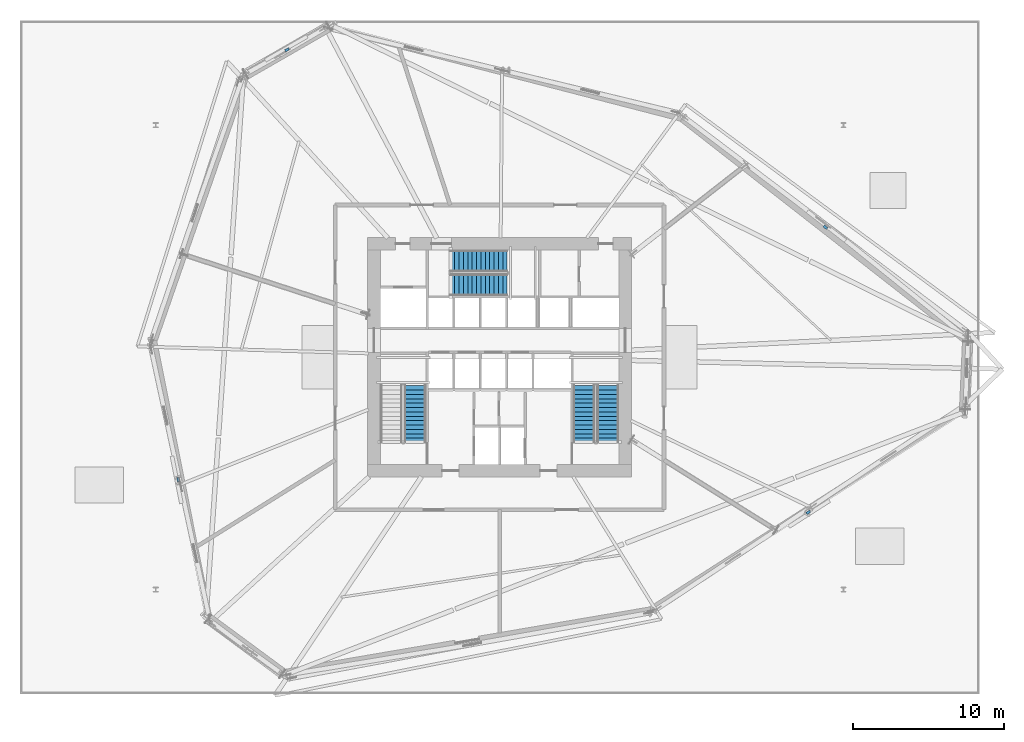
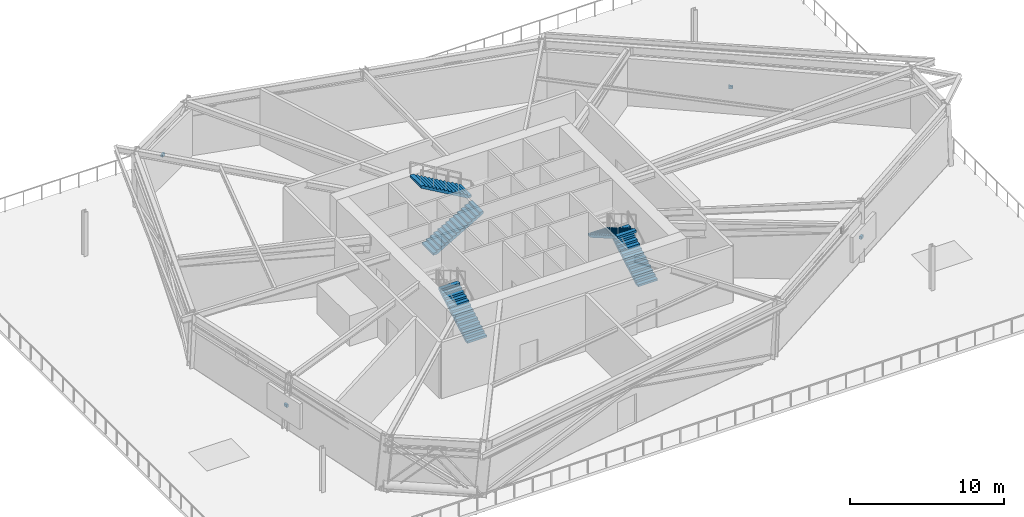
# One storey, part 15 of 20: 5 stair flights, 4 discrete accessories, 3 elements without a shape of their own.
"""IFC4 building model written with IfcOpenShell, lengths in metres."""

from ifc_helpers import new_model, si_unit, direction, frame, origin, origin_2d, place, context, subcontext, project, spatial, polyline, rectangle, outline, extrude, source, transform, mapped, material, type_object, element, aggregate, save


model = new_model("IFC4")

# Units and contexts
model_context = context("Model", 3, precision=1e-05, world=origin(), true_north=direction((0.0, 1.0)))
body_context = subcontext(model_context, "Body", "Model", "MODEL_VIEW")
ifc_project = project(units=[si_unit("LENGTHUNIT", "METRE"), si_unit("AREAUNIT", "SQUARE_METRE"), si_unit("VOLUMEUNIT", "CUBIC_METRE"), si_unit("PLANEANGLEUNIT", "RADIAN"), si_unit("MASSUNIT", "GRAM", prefix="KILO")], contexts=[model_context])

# Site, building, storey
site_placement = place(None, origin())
site = spatial("IfcSite", under=ifc_project, at=site_placement, CompositionType="ELEMENT")
building_placement = place(site_placement, origin())
building = spatial("IfcBuilding", under=site, at=building_placement, Name="Olszyna Solenne Hotel", CompositionType="ELEMENT")
storey_placement = place(building_placement, frame((0.0, 0.0, 24.60009765625)))
storey = spatial("IfcBuildingStorey", under=building, at=storey_placement, Name="L05", CompositionType="ELEMENT", Elevation=24.60009765625)

# Stair, stair flight
ifc_material_1 = material(Name="Concrete C40/50", Category="concrete")
stair_type = type_object("IfcStairType", Name="STR-C1", PredefinedType="TWO_QUARTER_WINDING_STAIR", material=ifc_material_1)
stair_1_placement = place(storey_placement, origin())
stair_1 = element("IfcStair", 1, at=stair_1_placement, inside=storey, type_object=stair_type, Name="L05 ST1", PredefinedType="TWO_QUARTER_WINDING_STAIR")
stair_flight_type = type_object("IfcStairFlightType", Name="FLT-C1", PredefinedType="STRAIGHT", material=ifc_material_1)
stair_flight_1_placement = place(storey_placement, frame((32.39501953125, 20.949951171875, 0.0), z_axis=(0.0, 0.0, 1.0), x_axis=(0.0, 1.0, 0.0)))
stair_flight_1 = element("IfcStairFlight", 2, at=stair_flight_1_placement, type_object=stair_flight_type, Name="ST1 flight 1", NumberOfRisers=14, NumberOfTreads=13, PredefinedType="STRAIGHT", RiserHeight=0.167857143, TreadLength=0.29, context=body_context, shape_type="SweptSolid", body=[
    extrude(outline(polyline([(0.0, 0.0), (0.0, 0.16796875), (0.2900390625, 0.16796875), (0.2900390625, 0.335693359375), (0.580078125, 0.335693359375), (0.580078125, 0.503662109375), (0.8701171875, 0.503662109375), (0.8701171875, 0.67138671875), (1.159912109375, 0.67138671875), (1.159912109375, 0.83935546875), (1.449951171875, 0.83935546875), (1.449951171875, 1.007080078125), (1.739990234375, 1.007080078125), (1.739990234375, 1.175048828125), (2.030029296875, 1.175048828125), (2.030029296875, 1.3427734375), (2.320068359375, 1.3427734375), (2.320068359375, 1.5107421875), (2.610107421875, 1.5107421875), (2.610107421875, 1.678466796875), (2.89990234375, 1.678466796875), (2.89990234375, 1.846435546875), (3.18994140625, 1.846435546875), (3.18994140625, 2.014404296875), (3.47998046875, 2.014404296875), (3.47998046875, 2.18212890625), (3.77001953125, 2.18212890625), (3.77001953125, 2.35009765625), (3.77001953125, 2.009033203125), (0.29931640625, 0.0), (0.0, 0.0)])), frame((0.0, 0.72509765625, 0.0), z_axis=(0.0, -1.0, 0.0), x_axis=(1.0, 0.0, 0.0)), (0.0, 0.0, 1.0), 1.449951171875),
])
aggregate(stair_1, [stair_flight_1])

# Stair, stair flights
stair_2_placement = place(storey_placement, origin())
stair_2 = element("IfcStair", 3, at=stair_2_placement, inside=storey, type_object=stair_type, Name="L05 ST2", PredefinedType="TWO_QUARTER_WINDING_STAIR")
stair_flight_2_placement = place(storey_placement, frame((45.175048828125, 20.949951171875, 0.0), z_axis=(0.0, 0.0, 1.0), x_axis=(0.0, 1.0, 0.0)))
stair_flight_2 = element("IfcStairFlight", 4, at=stair_flight_2_placement, type_object=stair_flight_type, Name="ST2 flight 1", NumberOfRisers=14, NumberOfTreads=13, PredefinedType="STRAIGHT", RiserHeight=0.167857143, TreadLength=0.29, context=body_context, shape_type="SweptSolid", body=[
    extrude(outline(polyline([(0.0, 0.0), (0.0, 0.16796875), (0.2900390625, 0.16796875), (0.2900390625, 0.335693359375), (0.580078125, 0.335693359375), (0.580078125, 0.503662109375), (0.8701171875, 0.503662109375), (0.8701171875, 0.67138671875), (1.159912109375, 0.67138671875), (1.159912109375, 0.83935546875), (1.449951171875, 0.83935546875), (1.449951171875, 1.007080078125), (1.739990234375, 1.007080078125), (1.739990234375, 1.175048828125), (2.030029296875, 1.175048828125), (2.030029296875, 1.3427734375), (2.320068359375, 1.3427734375), (2.320068359375, 1.5107421875), (2.610107421875, 1.5107421875), (2.610107421875, 1.678466796875), (2.89990234375, 1.678466796875), (2.89990234375, 1.846435546875), (3.18994140625, 1.846435546875), (3.18994140625, 2.014404296875), (3.47998046875, 2.014404296875), (3.47998046875, 2.18212890625), (3.77001953125, 2.18212890625), (3.77001953125, 2.35009765625), (3.77001953125, 2.009033203125), (0.29931640625, 0.0), (0.0, 0.0)])), frame((0.0, 0.72509765625, 0.0), z_axis=(0.0, -1.0, 0.0), x_axis=(1.0, 0.0, 0.0)), (0.0, 0.0, 1.0), 1.449951171875),
])
stair_flight_3_placement = place(storey_placement, frame((43.60498046875, 24.719970703125, 2.349853515625), z_axis=(0.0, 0.0, 1.0), x_axis=(0.0, -1.0, 0.0)))
stair_flight_3 = element("IfcStairFlight", 5, at=stair_flight_3_placement, type_object=stair_flight_type, Name="ST2 flight 2", NumberOfRisers=14, NumberOfTreads=13, PredefinedType="STRAIGHT", RiserHeight=0.167857143, TreadLength=0.29, context=body_context, shape_type="SweptSolid", body=[
    extrude(outline(polyline([(0.0, 0.0), (0.0, 0.16796875), (0.2900390625, 0.16796875), (0.2900390625, 0.335693359375), (0.580078125, 0.335693359375), (0.580078125, 0.503662109375), (0.8701171875, 0.503662109375), (0.8701171875, 0.67138671875), (1.159912109375, 0.67138671875), (1.159912109375, 0.83935546875), (1.449951171875, 0.83935546875), (1.449951171875, 1.007080078125), (1.739990234375, 1.007080078125), (1.739990234375, 1.175048828125), (2.030029296875, 1.175048828125), (2.030029296875, 1.3427734375), (2.320068359375, 1.3427734375), (2.320068359375, 1.5107421875), (2.610107421875, 1.5107421875), (2.610107421875, 1.678466796875), (2.89990234375, 1.678466796875), (2.89990234375, 1.846435546875), (3.18994140625, 1.846435546875), (3.18994140625, 2.014404296875), (3.47998046875, 2.014404296875), (3.47998046875, 2.18212890625), (3.77001953125, 2.18212890625), (3.77001953125, 2.35009765625), (3.77001953125, 2.009033203125), (0.29931640625, 0.0), (0.0, 0.0)])), frame((0.0, 0.72509765625, 0.0), z_axis=(0.0, -1.0, 0.0), x_axis=(1.0, 0.0, 0.0)), (0.0, 0.0, 1.0), 1.449951171875),
])
aggregate(stair_2, [stair_flight_2, stair_flight_3])

stair_3_placement = place(storey_placement, origin())
stair_3 = element("IfcStair", 6, at=stair_3_placement, inside=storey, type_object=stair_type, Name="L05 ST3", PredefinedType="TWO_QUARTER_WINDING_STAIR")
stair_flight_4_placement = place(storey_placement, frame((34.72998046875, 31.405029296875, 0.0), z_axis=(0.0, 0.0, 1.0), x_axis=(1.0, 0.0, 0.0)))
stair_flight_4 = element("IfcStairFlight", 7, at=stair_flight_4_placement, type_object=stair_flight_type, Name="ST3 flight 1", NumberOfRisers=14, NumberOfTreads=13, PredefinedType="STRAIGHT", RiserHeight=0.167857143, TreadLength=0.29, context=body_context, shape_type="SweptSolid", body=[
    extrude(outline(polyline([(0.0, 0.0), (0.0, 0.16796875), (0.2900390625, 0.16796875), (0.2900390625, 0.335693359375), (0.580078125, 0.335693359375), (0.580078125, 0.503662109375), (0.8701171875, 0.503662109375), (0.8701171875, 0.67138671875), (1.159912109375, 0.67138671875), (1.159912109375, 0.83935546875), (1.449951171875, 0.83935546875), (1.449951171875, 1.007080078125), (1.739990234375, 1.007080078125), (1.739990234375, 1.175048828125), (2.030029296875, 1.175048828125), (2.030029296875, 1.3427734375), (2.320068359375, 1.3427734375), (2.320068359375, 1.5107421875), (2.610107421875, 1.5107421875), (2.610107421875, 1.678466796875), (2.89990234375, 1.678466796875), (2.89990234375, 1.846435546875), (3.18994140625, 1.846435546875), (3.18994140625, 2.014404296875), (3.47998046875, 2.014404296875), (3.47998046875, 2.18212890625), (3.77001953125, 2.18212890625), (3.77001953125, 2.35009765625), (3.77001953125, 2.009033203125), (0.29931640625, 0.0), (0.0, 0.0)])), frame((0.0, 0.72509765625, 0.0), z_axis=(0.0, -1.0, 0.0), x_axis=(1.0, 0.0, 0.0)), (0.0, 0.0, 1.0), 1.449951171875),
])
stair_flight_5_placement = place(storey_placement, frame((38.5, 32.97509765625, 2.349853515625), z_axis=(0.0, 0.0, 1.0), x_axis=(-1.0, 0.0, 0.0)))
stair_flight_5 = element("IfcStairFlight", 8, at=stair_flight_5_placement, type_object=stair_flight_type, Name="ST3 flight 2", NumberOfRisers=14, NumberOfTreads=13, PredefinedType="STRAIGHT", RiserHeight=0.167857143, TreadLength=0.29, context=body_context, shape_type="SweptSolid", body=[
    extrude(outline(polyline([(0.0, 0.0), (0.0, 0.16796875), (0.2900390625, 0.16796875), (0.2900390625, 0.335693359375), (0.580078125, 0.335693359375), (0.580078125, 0.503662109375), (0.8701171875, 0.503662109375), (0.8701171875, 0.67138671875), (1.159912109375, 0.67138671875), (1.159912109375, 0.83935546875), (1.449951171875, 0.83935546875), (1.449951171875, 1.007080078125), (1.739990234375, 1.007080078125), (1.739990234375, 1.175048828125), (2.030029296875, 1.175048828125), (2.030029296875, 1.3427734375), (2.320068359375, 1.3427734375), (2.320068359375, 1.5107421875), (2.610107421875, 1.5107421875), (2.610107421875, 1.678466796875), (2.89990234375, 1.678466796875), (2.89990234375, 1.846435546875), (3.18994140625, 1.846435546875), (3.18994140625, 2.014404296875), (3.47998046875, 2.014404296875), (3.47998046875, 2.18212890625), (3.77001953125, 2.18212890625), (3.77001953125, 2.35009765625), (3.77001953125, 2.009033203125), (0.29931640625, 0.0), (0.0, 0.0)])), frame((0.0, 0.72509765625, 0.0), z_axis=(0.0, -1.0, 0.0), x_axis=(1.0, 0.0, 0.0)), (0.0, 0.0, 1.0), 1.449951171875),
])
aggregate(stair_3, [stair_flight_4, stair_flight_5])

# Discrete accessories
ifc_material_2 = material(Name="Steel S355J2", Category="steel")
discrete_accessory_type = type_object("IfcDiscreteAccessoryType", Name="BRK-01", PredefinedType="BRACKET", material=ifc_material_2)
shared_shape = source(origin(), body_context, "Body", "SweptSolid", [
    extrude(rectangle(XDim=0.280029296875, YDim=0.159912109375, at=origin_2d()), origin(), (0.0, 0.0, 1.0), 0.219970703125),
])
for number, where, z_axis, x_axis, name in (
    (9, (16.693359375, 18.4990234375, 1.7607421875), (0.0, 0.0, 1.0), (-0.195261498368, 0.980751215781, 0.0), "Facade support bracket BRK-LV-L05-03"),
    (10, (23.904296875, 46.988525390625, 1.7607421875), (0.0, 0.0, 1.0), (0.866896748936, 0.498487739754, 0.0), "Facade support bracket BRK-LV-L05-05"),
    (11, (59.599365234375, 35.221923828125, 1.7607421875), (0.0, 0.0, 1.0), (0.788118194802, -0.615523932127, 0.0), "Facade support bracket BRK-LV-L05-07"),
    (12, (58.464111328125, 16.32080078125, 1.7607421875), (0.0, 0.0, 1.0), (-0.842452397007, -0.538770785007, 0.0), "Facade support bracket BRK-LV-L05-09"),
):
    element("IfcDiscreteAccessory", number, at=place(storey_placement, frame(where, z_axis=z_axis, x_axis=x_axis)), inside=storey, type_object=discrete_accessory_type, Name=name, PredefinedType="BRACKET", context=body_context, shape_type="MappedRepresentation", body=[
        mapped(shared_shape, transform((0.0, 0.0, 0.0), x_axis=(1.0, 0.0, 0.0), y_axis=(0.0, 1.0, 0.0), z_axis=(0.0, 0.0, 1.0), scale=1.0)),
    ])

save(model, "model.ifc")
